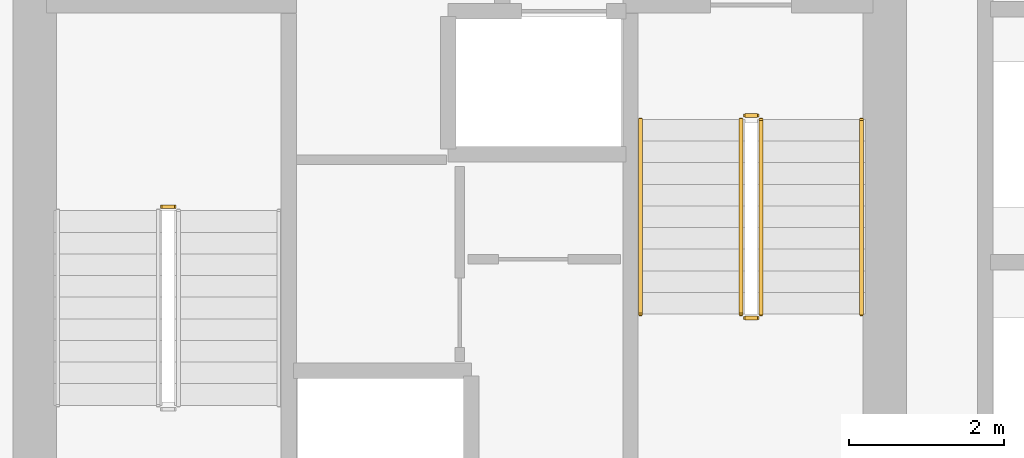
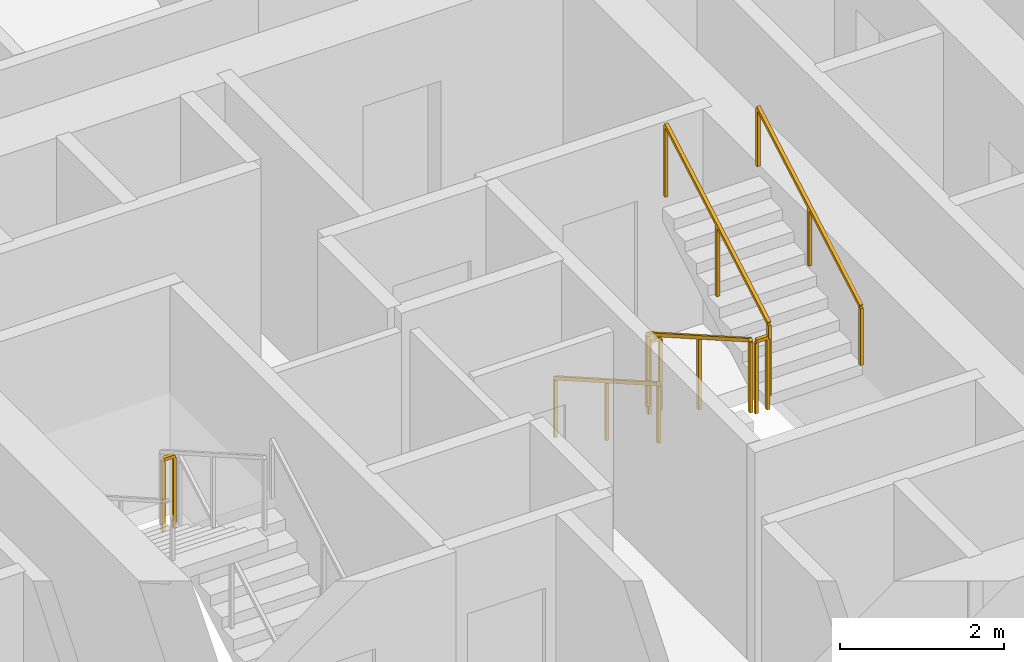
# One storey, part 13 of 14: 7 railings.
"""IFC4 building model written with IfcOpenShell, lengths in metres."""

from ifc_helpers import new_model, si_unit, direction, frame, origin, origin_2d, place, context, subcontext, project, spatial, rectangle, extrude, material, type_object, element, save


model = new_model("IFC4")

# Units and contexts
model_context = context("Model", 3, precision=1e-05, world=origin(), true_north=direction((0.0, 1.0)))
body_context = subcontext(model_context, "Body", "Model", "MODEL_VIEW")
ifc_project = project(units=[si_unit("LENGTHUNIT", "METRE"), si_unit("AREAUNIT", "SQUARE_METRE"), si_unit("VOLUMEUNIT", "CUBIC_METRE"), si_unit("PLANEANGLEUNIT", "RADIAN"), si_unit("MASSUNIT", "GRAM", prefix="KILO")], contexts=[model_context])

# Site, building, storey
site_placement = place(None, origin())
site = spatial("IfcSite", under=ifc_project, at=site_placement, CompositionType="ELEMENT")
building_placement = place(site_placement, origin())
building = spatial("IfcBuilding", under=site, at=building_placement, Name="Veldorim Arch Residences", CompositionType="ELEMENT")
storey_placement = place(building_placement, frame((0.0, 0.0, 93.280029296875)))
storey = spatial("IfcBuildingStorey", under=building, at=storey_placement, Name="L27", CompositionType="ELEMENT", Elevation=93.280029296875)

# Railings
ifc_material_1 = material(Name="Steel S355", Category="steel")
railing_type_1 = type_object("IfcRailingType", Name="Galvanised Steel Stair Safety Guardrail 1100", PredefinedType="GUARDRAIL", material=ifc_material_1)
railing_1_placement = place(storey_placement, frame((28.31005859375, 24.719970703125, 1.599853515625)))
element("IfcRailing", 1, at=railing_1_placement, inside=storey, type_object=railing_type_1, Name="L27 ST-1 stair guard 2", PredefinedType="GUARDRAIL", context=body_context, shape_type="SweptSolid", body=[
    extrude(rectangle(XDim=0.048095703125, YDim=0.048095703125, at=origin_2d()), frame((0.0, 0.0, 1.076171875), z_axis=(-1.0, 0.0, 0.0), x_axis=(0.0, -1.0, 0.0)), (0.0, 0.0, 1.0), 0.16015625),
    extrude(rectangle(XDim=0.0419921875, YDim=0.0419921875, at=origin_2d()), origin(), (0.0, 0.0, 1.0), 1.052001953125),
    extrude(rectangle(XDim=0.0419921875, YDim=0.0419921875, at=origin_2d()), frame((-0.16015625, 0.0, 0.0)), (0.0, 0.0, 1.0), 1.052001953125),
])
railing_2_placement = place(storey_placement, frame((35.639892578125, 25.85009765625, 0.159912109375)))
element("IfcRailing", 2, at=railing_2_placement, inside=storey, type_object=railing_type_1, Name="L27 ST-2 stair guard 1", PredefinedType="GUARDRAIL", context=body_context, shape_type="SweptSolid", body=[
    extrude(rectangle(XDim=0.048095703125, YDim=0.048095703125, at=origin_2d()), frame((0.0, 0.0, 1.076171875), z_axis=(0.0, -0.868253494771, 0.496120820787), x_axis=(1.0, 0.0, 0.0)), (0.0, 0.0, 1.0), 2.90234375),
    extrude(rectangle(XDim=0.0419921875, YDim=0.0419921875, at=origin_2d()), origin(), (0.0, 0.0, 1.0), 1.052001953125),
    extrude(rectangle(XDim=0.0419921875, YDim=0.0419921875, at=origin_2d()), frame((0.0, -1.260009765625, 0.719970703125)), (0.0, 0.0, 1.0), 1.052001953125),
    extrude(rectangle(XDim=0.0419921875, YDim=0.0419921875, at=origin_2d()), frame((0.0, -2.52001953125, 1.43994140625)), (0.0, 0.0, 1.0), 1.052001953125),
])
railing_3_placement = place(storey_placement, frame((35.68994140625, 23.280029296875, 1.599853515625)))
element("IfcRailing", 3, at=railing_3_placement, inside=storey, type_object=railing_type_1, Name="L27 ST-2 stair guard 2", PredefinedType="GUARDRAIL", context=body_context, shape_type="SweptSolid", body=[
    extrude(rectangle(XDim=0.048095703125, YDim=0.048095703125, at=origin_2d()), frame((0.0, 0.0, 1.076171875), z_axis=(1.0, 0.0, 0.0), x_axis=(0.0, 1.0, 0.0)), (0.0, 0.0, 1.0), 0.16015625),
    extrude(rectangle(XDim=0.0419921875, YDim=0.0419921875, at=origin_2d()), origin(), (0.0, 0.0, 1.0), 1.052001953125),
    extrude(rectangle(XDim=0.0419921875, YDim=0.0419921875, at=origin_2d()), frame((0.16015625, 0.0, 0.0)), (0.0, 0.0, 1.0), 1.052001953125),
])
railing_4_placement = place(storey_placement, frame((35.89990234375, 23.330078125, 1.760009765625)))
element("IfcRailing", 4, at=railing_4_placement, inside=storey, type_object=railing_type_1, Name="L27 ST-2 stair guard 3", PredefinedType="GUARDRAIL", context=body_context, shape_type="SweptSolid", body=[
    extrude(rectangle(XDim=0.048095703125, YDim=0.048095703125, at=origin_2d()), frame((0.0, 0.0, 1.076171875), z_axis=(0.0, 0.868253494771, 0.496120820787), x_axis=(-1.0, 0.0, 0.0)), (0.0, 0.0, 1.0), 2.90234375),
    extrude(rectangle(XDim=0.0419921875, YDim=0.0419921875, at=origin_2d()), origin(), (0.0, 0.0, 1.0), 1.052001953125),
    extrude(rectangle(XDim=0.0419921875, YDim=0.0419921875, at=origin_2d()), frame((0.0, 1.260009765625, 0.719970703125)), (0.0, 0.0, 1.0), 1.052001953125),
    extrude(rectangle(XDim=0.0419921875, YDim=0.0419921875, at=origin_2d()), frame((0.0, 2.52001953125, 1.43994140625)), (0.0, 0.0, 1.0), 1.052001953125),
])
railing_5_placement = place(storey_placement, frame((35.68994140625, 25.89990234375, 0.0)))
element("IfcRailing", 5, at=railing_5_placement, inside=storey, type_object=railing_type_1, Name="L27 ST-2 stair guard 4", PredefinedType="GUARDRAIL", context=body_context, shape_type="SweptSolid", body=[
    extrude(rectangle(XDim=0.048095703125, YDim=0.048095703125, at=origin_2d()), frame((0.0, 0.0, 1.076171875), z_axis=(1.0, 0.0, 0.0), x_axis=(0.0, 1.0, 0.0)), (0.0, 0.0, 1.0), 0.16015625),
    extrude(rectangle(XDim=0.0419921875, YDim=0.0419921875, at=origin_2d()), origin(), (0.0, 0.0, 1.0), 1.052001953125),
    extrude(rectangle(XDim=0.0419921875, YDim=0.0419921875, at=origin_2d()), frame((0.16015625, 0.0, 0.0)), (0.0, 0.0, 1.0), 1.052001953125),
])
ifc_material_2 = material(Name="Stainless Steel", Category="steel")
railing_type_2 = type_object("IfcRailingType", Name="Tubular Steel Continuous Wall Handrail 900", PredefinedType="HANDRAIL", material=ifc_material_2)
railing_6_placement = place(storey_placement, frame((34.340087890625, 25.85009765625, 0.159912109375)))
element("IfcRailing", 6, at=railing_6_placement, inside=storey, type_object=railing_type_2, Name="L27 ST-2 stair handrail 1", PredefinedType="HANDRAIL", context=body_context, shape_type="SweptSolid", body=[
    extrude(rectangle(XDim=0.048095703125, YDim=0.048095703125, at=origin_2d()), frame((0.0, 0.0, 0.8759765625), z_axis=(0.0, -0.868253494771, 0.496120820787), x_axis=(1.0, 0.0, 0.0)), (0.0, 0.0, 1.0), 2.90234375),
    extrude(rectangle(XDim=0.0419921875, YDim=0.0419921875, at=origin_2d()), origin(), (0.0, 0.0, 1.0), 0.851806640625),
    extrude(rectangle(XDim=0.0419921875, YDim=0.0419921875, at=origin_2d()), frame((0.0, -1.260009765625, 0.719970703125)), (0.0, 0.0, 1.0), 0.851806640625),
    extrude(rectangle(XDim=0.0419921875, YDim=0.0419921875, at=origin_2d()), frame((0.0, -2.52001953125, 1.43994140625)), (0.0, 0.0, 1.0), 0.851806640625),
])
railing_7_placement = place(storey_placement, frame((37.199951171875, 23.330078125, 1.760009765625)))
element("IfcRailing", 7, at=railing_7_placement, inside=storey, type_object=railing_type_2, Name="L27 ST-2 stair handrail 2", PredefinedType="HANDRAIL", context=body_context, shape_type="SweptSolid", body=[
    extrude(rectangle(XDim=0.048095703125, YDim=0.048095703125, at=origin_2d()), frame((0.0, 0.0, 0.8759765625), z_axis=(0.0, 0.868253494771, 0.496120820787), x_axis=(-1.0, 0.0, 0.0)), (0.0, 0.0, 1.0), 2.90234375),
    extrude(rectangle(XDim=0.0419921875, YDim=0.0419921875, at=origin_2d()), origin(), (0.0, 0.0, 1.0), 0.851806640625),
    extrude(rectangle(XDim=0.0419921875, YDim=0.0419921875, at=origin_2d()), frame((0.0, 1.260009765625, 0.719970703125)), (0.0, 0.0, 1.0), 0.851806640625),
    extrude(rectangle(XDim=0.0419921875, YDim=0.0419921875, at=origin_2d()), frame((0.0, 2.52001953125, 1.43994140625)), (0.0, 0.0, 1.0), 0.851806640625),
])

save(model, "model.ifc")
